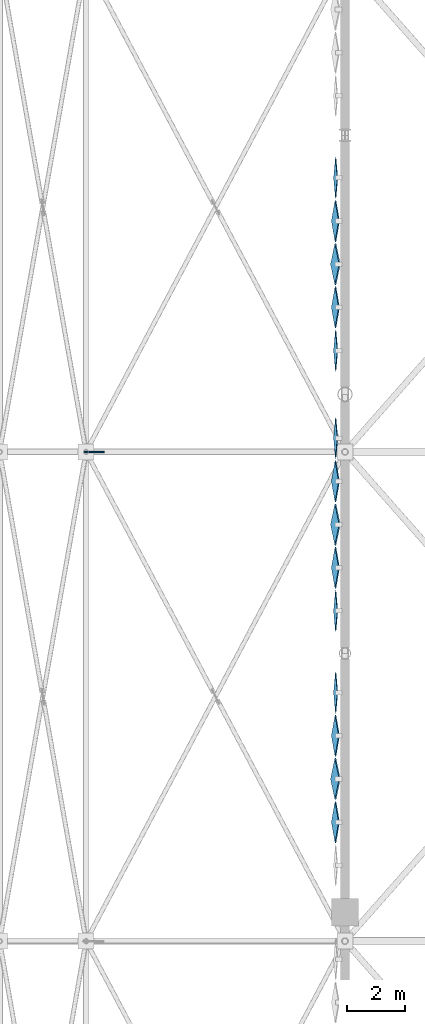
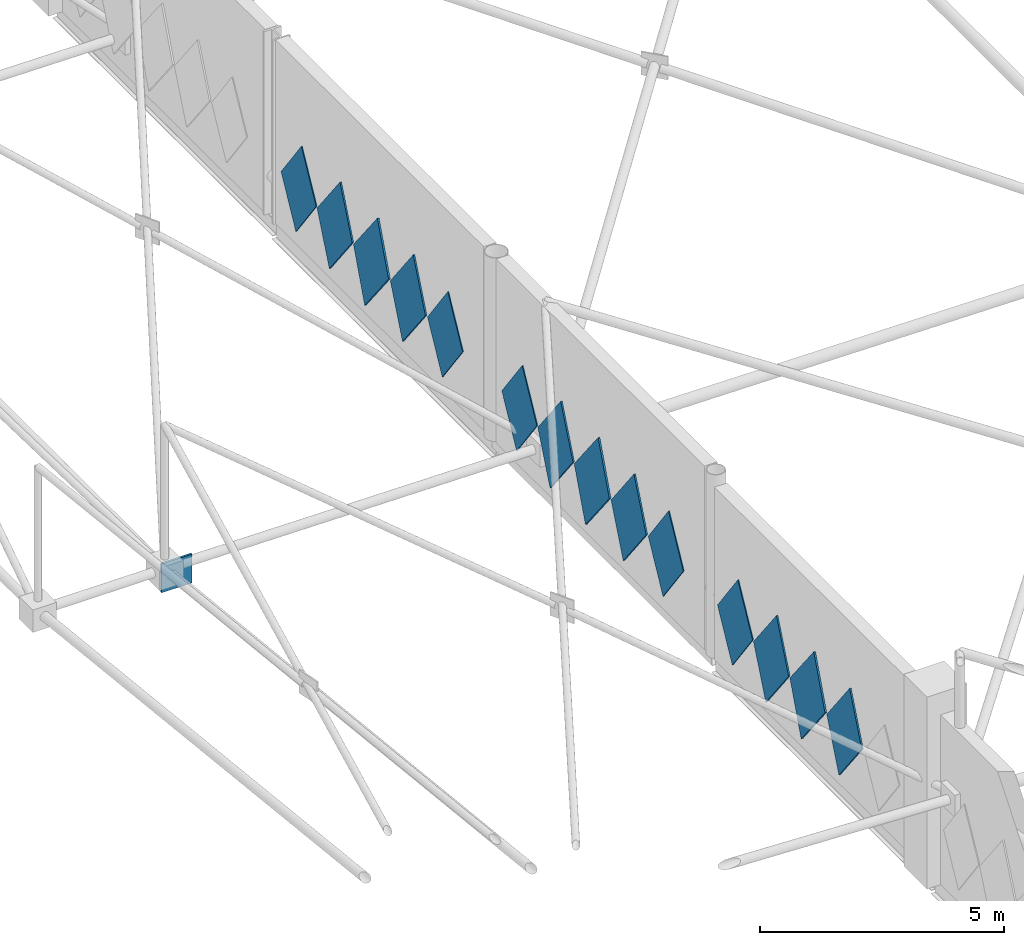
# One storey, part 161 of 224: 15 plates.
"""IFC4 building model written with IfcOpenShell, lengths in metres."""

from ifc_helpers import new_model, si_unit, direction, frame, origin, origin_2d, place, context, subcontext, project, spatial, polyline, rectangle, outline, extrude, material, layer, layer_set, type_object, element, save


model = new_model("IFC4")

# Units and contexts
model_context = context("Model", 3, precision=1e-05, world=origin(), true_north=direction((0.0, 1.0)))
body_context = subcontext(model_context, "Body", "Model", "MODEL_VIEW")
ifc_project = project(units=[si_unit("LENGTHUNIT", "METRE"), si_unit("AREAUNIT", "SQUARE_METRE"), si_unit("VOLUMEUNIT", "CUBIC_METRE"), si_unit("PLANEANGLEUNIT", "RADIAN"), si_unit("MASSUNIT", "GRAM", prefix="KILO")], contexts=[model_context])

# Site, building, storey
site_placement = place(None, origin())
site = spatial("IfcSite", under=ifc_project, at=site_placement, CompositionType="ELEMENT")
building_placement = place(site_placement, origin())
building = spatial("IfcBuilding", under=site, at=building_placement, Name="Qamarlyn Nura Convention Centre", CompositionType="ELEMENT")
storey_placement = place(building_placement, frame((0.0, 0.0, 10.800048828125)))
storey = spatial("IfcBuildingStorey", under=building, at=storey_placement, Name="L02", CompositionType="ELEMENT", Elevation=10.800048828125)

# Plates
ifc_material_1 = material(Name="White high-albedo PVDF aluminium composite sheet", Category="aluminium")
ifc_layer_1 = layer(ifc_material_1, 0.02392578125, Name="FP-DIAM-03")
ifc_layer_set_1 = layer_set([ifc_layer_1], Name="White high-albedo PVDF aluminium composite sheet")
plate_type_1 = type_object("IfcPlateType", Name="FP-DIAM-03", PredefinedType="SHEET", material=ifc_layer_set_1)
for number, where, z_axis, x_axis, name in (
    (1, (-0.31005859375, 43.635986328125, 1.699951171875), (-0.998059468659, 0.0, 0.062267945373), (0.0, -1.0, 0.0), "L02 pivoted white diamond facade tile 0209"),
    (2, (-0.31005859375, 46.474609375, 1.699951171875), (-0.998059468659, 0.0, 0.062267945373), (0.0, -1.0, 0.0), "L02 pivoted white diamond facade tile 0210"),
    (3, (-0.31005859375, 52.474609375, 1.699951171875), (-0.998059468659, 0.0, 0.062267945373), (0.0, -1.0, 0.0), "L02 pivoted white diamond facade tile 0214"),
    (4, (-0.31005859375, 55.520751953125, 1.699951171875), (-0.998059468659, 0.0, 0.062267945373), (0.0, -1.0, 0.0), "L02 pivoted white diamond facade tile 0215"),
    (5, (-0.31005859375, 61.520751953125, 1.699951171875), (-0.998059468659, 0.0, 0.062267945373), (0.0, -1.0, 0.0), "L02 pivoted white diamond facade tile 0219"),
):
    element("IfcPlate", number, at=place(storey_placement, frame(where, z_axis=z_axis, x_axis=x_axis)), inside=storey, type_object=plate_type_1, Name=name, PredefinedType="SHEET", context=body_context, shape_type="SweptSolid", body=[
        extrude(outline(polyline([(-0.719970703125, 0.0), (0.0, -1.050048828125), (0.719970703125, 0.0), (0.0, 1.050048828125), (-0.719970703125, 0.0)])), origin(), (0.0, 0.0, 1.0), 0.02392578125),
    ])
ifc_layer_2 = layer(ifc_material_1, 0.0380859375, Name="FP-DIAM-07")
ifc_layer_set_2 = layer_set([ifc_layer_2], Name="White high-albedo PVDF aluminium composite sheet")
plate_type_2 = type_object("IfcPlateType", Name="FP-DIAM-07", PredefinedType="SHEET", material=ifc_layer_set_2)
for number, where, z_axis, x_axis, name in (
    (6, (-0.31005859375, 39.135986328125, 1.699951171875), (-0.99271534578, 0.0, 0.120483369194), (0.0, -1.0, 0.0), "L02 pivoted white diamond facade tile 0206"),
    (7, (-0.31005859375, 42.135986328125, 1.699951171875), (-0.99271534578, 0.0, 0.120483369194), (0.0, -1.0, 0.0), "L02 pivoted white diamond facade tile 0208"),
    (8, (-0.31005859375, 47.974609375, 1.699951171875), (-0.99271534578, 0.0, 0.120483369194), (0.0, -1.0, 0.0), "L02 pivoted white diamond facade tile 0211"),
    (9, (-0.31005859375, 50.974609375, 1.699951171875), (-0.99271534578, 0.0, 0.120483369194), (0.0, -1.0, 0.0), "L02 pivoted white diamond facade tile 0213"),
    (10, (-0.31005859375, 57.020751953125, 1.699951171875), (-0.99271534578, 0.0, 0.120483369194), (0.0, -1.0, 0.0), "L02 pivoted white diamond facade tile 0216"),
    (11, (-0.31005859375, 60.020751953125, 1.699951171875), (-0.99271534578, 0.0, 0.120483369194), (0.0, -1.0, 0.0), "L02 pivoted white diamond facade tile 0218"),
):
    element("IfcPlate", number, at=place(storey_placement, frame(where, z_axis=z_axis, x_axis=x_axis)), inside=storey, type_object=plate_type_2, Name=name, PredefinedType="SHEET", context=body_context, shape_type="SweptSolid", body=[
        extrude(outline(polyline([(-0.719970703125, 0.0), (0.0, -1.050048828125), (0.719970703125, 0.0), (0.0, 1.050048828125), (-0.719970703125, 0.0)])), origin(), (0.0, 0.0, 1.0), 0.0380859375),
    ])
ifc_layer_3 = layer(ifc_material_1, 0.0439453125, Name="FP-DIAM-08")
ifc_layer_set_3 = layer_set([ifc_layer_3], Name="White high-albedo PVDF aluminium composite sheet")
plate_type_3 = type_object("IfcPlateType", Name="FP-DIAM-08", PredefinedType="SHEET", material=ifc_layer_set_3)
for number, where, z_axis, x_axis, name in (
    (12, (-0.31005859375, 40.635986328125, 1.699951171875), (-0.989776230908, 0.0, 0.142628933706), (0.0, -1.0, 0.0), "L02 pivoted white diamond facade tile 0207"),
    (13, (-0.31005859375, 49.474609375, 1.699951171875), (-0.989776230908, 0.0, 0.142628933706), (0.0, -1.0, 0.0), "L02 pivoted white diamond facade tile 0212"),
    (14, (-0.31005859375, 58.520751953125, 1.699951171875), (-0.989776230908, 0.0, 0.142628933706), (0.0, -1.0, 0.0), "L02 pivoted white diamond facade tile 0217"),
):
    element("IfcPlate", number, at=place(storey_placement, frame(where, z_axis=z_axis, x_axis=x_axis)), inside=storey, type_object=plate_type_3, Name=name, PredefinedType="SHEET", context=body_context, shape_type="SweptSolid", body=[
        extrude(outline(polyline([(-0.719970703125, 0.0), (0.0, -1.050048828125), (0.719970703125, 0.0), (0.0, 1.050048828125), (-0.719970703125, 0.0)])), origin(), (0.0, 0.0, 1.0), 0.0439453125),
    ])
ifc_material_2 = material(Name="Structural steel ASTM A572 Grade 50", Category="steel")
ifc_layer_4 = layer(ifc_material_2, 0.048095703125, Name="GP-SN3")
ifc_layer_set_4 = layer_set([ifc_layer_4], Name="Structural steel ASTM A572 Grade 50")
plate_type_4 = type_object("IfcPlateType", Name="GP-SN3", PredefinedType="USERDEFINED", material=ifc_layer_set_4)
plate_placement = place(storey_placement, frame((-8.722900390625, 52.0, 0.4482421875), z_axis=(0.0, 0.0, 1.0), x_axis=(1.0, 0.0, 0.0)))
element("IfcPlate", 15, at=plate_placement, inside=storey, type_object=plate_type_4, Name="Tree strut gusset plate W-4-H", ObjectType="GUSSET PLATE", PredefinedType="USERDEFINED", context=body_context, shape_type="SweptSolid", body=[
    extrude(rectangle(XDim=0.719970703125, YDim=0.048095703125, at=origin_2d()), origin(), (0.0, 0.0, 1.0), 0.719970703125),
])

save(model, "model.ifc")
